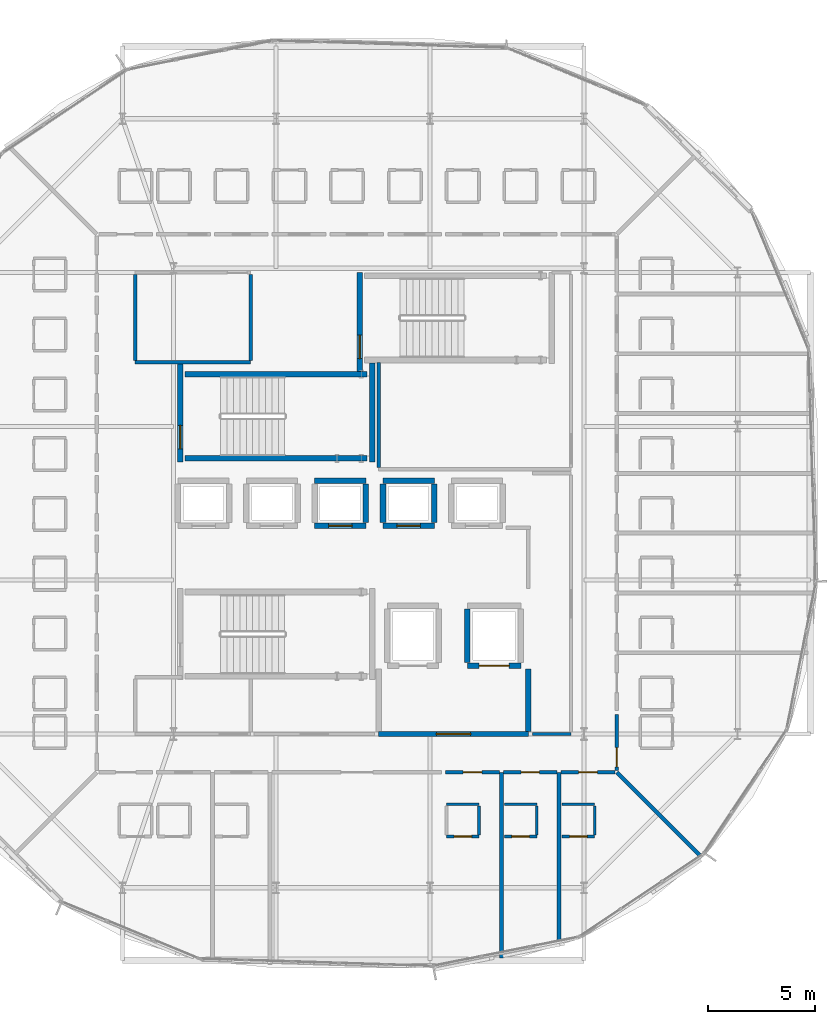
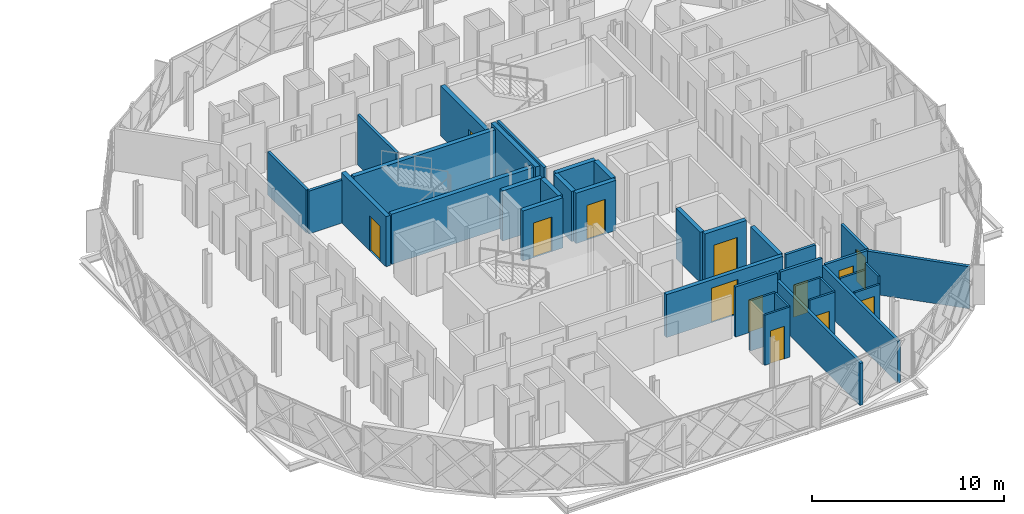
# One storey, part 17 of 26: 37 walls, 13 doors, 13 openings.
"""IFC4 building model written with IfcOpenShell, lengths in metres."""

from ifc_helpers import new_model, si_unit, direction, frame, frame_2d, origin, place, context, subcontext, project, spatial, rectangle, extrude, material, layer, layer_set, type_object, element, fill, save


model = new_model("IFC4")

# Units and contexts
model_context = context("Model", 3, precision=1e-05, world=origin(), true_north=direction((0.0, 1.0)))
body_context = subcontext(model_context, "Body", "Model", "MODEL_VIEW")
ifc_project = project(units=[si_unit("LENGTHUNIT", "METRE"), si_unit("AREAUNIT", "SQUARE_METRE"), si_unit("VOLUMEUNIT", "CUBIC_METRE"), si_unit("PLANEANGLEUNIT", "RADIAN"), si_unit("MASSUNIT", "GRAM", prefix="KILO")], contexts=[model_context])

# Site, building, storey
site_placement = place(None, origin())
site = spatial("IfcSite", under=ifc_project, at=site_placement, CompositionType="ELEMENT")
building_placement = place(site_placement, origin())
building = spatial("IfcBuilding", under=site, at=building_placement, Name="Zevrakil Square Congress Hotel", CompositionType="ELEMENT")
storey_placement = place(building_placement, frame((0.0, 0.0, 24.89990234375)))
storey = spatial("IfcBuildingStorey", under=building, at=storey_placement, Name="L07", CompositionType="ELEMENT", Elevation=24.89990234375)

# Wall, opening, door
ifc_material_1 = material(Name="Concrete C35/45", Category="concrete")
ifc_layer_1 = layer(ifc_material_1, 0.239990234375)
ifc_layer_set_1 = layer_set([ifc_layer_1], Name="Concrete C35/45")
wall_type_1 = type_object("IfcWallType", Name="WAL-COMP-240", PredefinedType="SOLIDWALL", material=ifc_layer_set_1)
wall_1_placement = place(storey_placement, frame((146.39990234375, 16.800048828125, 0.0), z_axis=(0.0, 0.0, 1.0), x_axis=(1.0, 0.0, 0.0)))
wall_1 = element("IfcWall", 1, at=wall_1_placement, inside=storey, type_object=wall_type_1, Name="L07 interior partition PW-L07-0919", PredefinedType="SOLIDWALL", context=body_context, shape_type="SweptSolid", body=[
    extrude(rectangle(XDim=7.0, YDim=0.239990234375, at=frame_2d((3.5, 0.0))), origin(), (0.0, 0.0, 1.0), 2.72509765625),
])
opening_1_placement = place(wall_1_placement, frame((2.699951171875, 0.0, 0.0)))
opening_1 = element("IfcOpeningElement", 2, at=opening_1_placement, cuts=wall_1, Name="Opening FD90-D", PredefinedType="OPENING", context=body_context, shape_type="SweptSolid", body=[
    extrude(rectangle(XDim=1.60009765625, YDim=2.199951171875, at=frame_2d((0.800048828125, 1.10009765625))), frame((0.0, 0.1298828125, 0.0), z_axis=(0.0, -1.0, 0.0), x_axis=(1.0, 0.0, 0.0)), (0.0, 0.0, 1.0), 0.260009765625),
])
ifc_material_2 = material(Name="Steel S355 Double Fire Door", Category="steel")
door_type_1 = type_object("IfcDoorType", Name="DOR-FFLOB-FD90-160", OperationType="NOTDEFINED", PredefinedType="DOOR", material=ifc_material_2)
door_1_placement = place(opening_1_placement, origin())
door_1 = element("IfcDoor", 3, at=door_1_placement, inside=storey, type_object=door_type_1, Name="L07 interior door 363", OperationType="DOUBLE_DOOR_SINGLE_SWING", OverallHeight=2.199951171875, OverallWidth=1.60009765625, PredefinedType="DOOR", context=body_context, shape_type="SweptSolid", body=[
    extrude(rectangle(XDim=1.60009765625, YDim=2.199951171875, at=frame_2d((0.800048828125, 1.10009765625))), frame((0.0, 0.02490234375, 0.0), z_axis=(0.0, -1.0, 0.0), x_axis=(1.0, 0.0, 0.0)), (0.0, 0.0, 1.0), 0.050048828125),
])
fill(opening_1, door_1)

# Walls
wall_2_placement = place(storey_placement, frame((153.39990234375, 16.925048828125, 0.0), z_axis=(0.0, 0.0, 1.0), x_axis=(0.0, 1.0, 0.0)))
element("IfcWall", 4, at=wall_2_placement, inside=storey, type_object=wall_type_1, Name="L07 interior partition PW-L07-0921", PredefinedType="SOLIDWALL", context=body_context, shape_type="SweptSolid", body=[
    extrude(rectangle(XDim=2.925048828125, YDim=0.239990234375, at=frame_2d((1.46240234375, 0.0))), origin(), (0.0, 0.0, 1.0), 2.72509765625),
])
ifc_material_3 = material(Name="Gypsum Acoustic Stud Partition")
ifc_layer_2 = layer(ifc_material_3, 0.159912109375)
ifc_layer_set_2 = layer_set([ifc_layer_2], Name="Gypsum Acoustic Stud Partition")
wall_type_2 = type_object("IfcWallType", Name="WAL-CORR-160", PredefinedType="PARTITIONING", material=ifc_layer_set_2)
wall_3_placement = place(storey_placement, frame((135.0, 34.199951171875, 0.0), z_axis=(0.0, 0.0, 1.0), x_axis=(1.0, 0.0, 0.0)))
element("IfcWall", 5, at=wall_3_placement, inside=storey, type_object=wall_type_2, Name="L07 interior partition PW-L07-0927", PredefinedType="PARTITIONING", context=body_context, shape_type="SweptSolid", body=[
    extrude(rectangle(XDim=5.39990234375, YDim=0.159912109375, at=frame_2d((2.699951171875, 0.0))), origin(), (0.0, 0.0, 1.0), 2.72509765625),
])
wall_4_placement = place(storey_placement, frame((135.0, 34.284912109375, 0.0), z_axis=(0.0, 0.0, 1.0), x_axis=(0.0, 1.0, 0.0)))
element("IfcWall", 6, at=wall_4_placement, inside=storey, type_object=wall_type_2, Name="L07 interior partition PW-L07-0929", PredefinedType="PARTITIONING", context=body_context, shape_type="SweptSolid", body=[
    extrude(rectangle(XDim=4.030029296875, YDim=0.159912109375, at=frame_2d((2.01513671875, 0.0))), origin(), (0.0, 0.0, 1.0), 2.72509765625),
])
wall_5_placement = place(storey_placement, frame((140.39990234375, 34.284912109375, 0.0), z_axis=(0.0, 0.0, 1.0), x_axis=(0.0, 1.0, 0.0)))
element("IfcWall", 7, at=wall_5_placement, inside=storey, type_object=wall_type_2, Name="L07 interior partition PW-L07-0930", PredefinedType="PARTITIONING", context=body_context, shape_type="SweptSolid", body=[
    extrude(rectangle(XDim=4.030029296875, YDim=0.159912109375, at=frame_2d((2.01513671875, 0.0))), origin(), (0.0, 0.0, 1.0), 3.190185546875),
])
wall_6_placement = place(storey_placement, frame((146.39990234375, 29.284912109375, 0.0), z_axis=(0.0, 0.0, 1.0), x_axis=(0.0, 1.0, 0.0)))
element("IfcWall", 8, at=wall_6_placement, inside=storey, type_object=wall_type_2, Name="L07 interior partition PW-L07-0932", PredefinedType="PARTITIONING", context=body_context, shape_type="SweptSolid", body=[
    extrude(rectangle(XDim=4.9150390625, YDim=0.159912109375, at=frame_2d((2.45751953125, 0.0))), origin(), (0.0, 0.0, 1.0), 3.190185546875),
])
wall_7_placement = place(storey_placement, frame((153.60009765625, 16.800048828125, 0.0), z_axis=(0.0, 0.0, 1.0), x_axis=(1.0, 0.0, 0.0)))
element("IfcWall", 9, at=wall_7_placement, inside=storey, type_object=wall_type_2, Name="L07 interior partition PW-L07-0935", PredefinedType="PARTITIONING", context=body_context, shape_type="SweptSolid", body=[
    extrude(rectangle(XDim=1.7998046875, YDim=0.159912109375, at=frame_2d((0.89990234375, 0.0))), origin(), (0.0, 0.0, 1.0), 2.72509765625),
])

# Wall, opening, door
wall_8_placement = place(storey_placement, frame((149.5283203125, 15.0, 0.0), z_axis=(0.0, 0.0, 1.0), x_axis=(1.0, 0.0, 0.0)))
wall_8 = element("IfcWall", 10, at=wall_8_placement, inside=storey, type_object=wall_type_2, Name="L07 interior partition PW-L07-0958", PredefinedType="PARTITIONING", context=body_context, shape_type="SweptSolid", body=[
    extrude(rectangle(XDim=2.515625, YDim=0.159912109375, at=frame_2d((1.2578125, 0.0))), origin(), (0.0, 0.0, 1.0), 3.190185546875),
])
opening_2_placement = place(wall_8_placement, frame((0.81787109375, 0.0, 0.0)))
opening_2 = element("IfcOpeningElement", 11, at=opening_2_placement, cuts=wall_8, Name="Opening ID-G02", PredefinedType="OPENING", context=body_context, shape_type="SweptSolid", body=[
    extrude(rectangle(XDim=0.8798828125, YDim=2.050048828125, at=frame_2d((0.43994140625, 1.02490234375))), frame((0.0, 0.08984375, 0.0), z_axis=(0.0, -1.0, 0.0), x_axis=(1.0, 0.0, 0.0)), (0.0, 0.0, 1.0), 0.179931640625),
])
ifc_material_4 = material(Name="Acoustic Timber Fire Door", Category="wood")
door_type_2 = type_object("IfcDoorType", Name="DOR-INT-G02", OperationType="NOTDEFINED", PredefinedType="DOOR", material=ifc_material_4)
door_2_placement = place(opening_2_placement, origin())
door_2 = element("IfcDoor", 12, at=door_2_placement, inside=storey, type_object=door_type_2, Name="L07 interior door 376", OperationType="SINGLE_SWING_RIGHT", OverallHeight=2.050048828125, OverallWidth=0.8798828125, PredefinedType="DOOR", context=body_context, shape_type="SweptSolid", body=[
    extrude(rectangle(XDim=0.8798828125, YDim=2.050048828125, at=frame_2d((0.43994140625, 1.02490234375))), frame((0.0, 0.02490234375, 0.0), z_axis=(0.0, -1.0, 0.0), x_axis=(1.0, 0.0, 0.0)), (0.0, 0.0, 1.0), 0.050048828125),
])
fill(opening_2, door_2)

wall_9_placement = place(storey_placement, frame((152.23388671875, 15.0, 0.0), z_axis=(0.0, 0.0, 1.0), x_axis=(1.0, 0.0, 0.0)))
wall_9 = element("IfcWall", 13, at=wall_9_placement, inside=storey, type_object=wall_type_2, Name="L07 interior partition PW-L07-0964", PredefinedType="PARTITIONING", context=body_context, shape_type="SweptSolid", body=[
    extrude(rectangle(XDim=2.515625, YDim=0.159912109375, at=frame_2d((1.2578125, 0.0))), origin(), (0.0, 0.0, 1.0), 3.190185546875),
])
opening_3_placement = place(wall_9_placement, frame((0.830322265625, 0.0, 0.0)))
opening_3 = element("IfcOpeningElement", 14, at=opening_3_placement, cuts=wall_9, Name="Opening ID-G01", PredefinedType="OPENING", context=body_context, shape_type="SweptSolid", body=[
    extrude(rectangle(XDim=0.85498046875, YDim=2.050048828125, at=frame_2d((0.427490234375, 1.02490234375))), frame((0.0, 0.08984375, 0.0), z_axis=(0.0, -1.0, 0.0), x_axis=(1.0, 0.0, 0.0)), (0.0, 0.0, 1.0), 0.179931640625),
])
ifc_material_5 = material(Name="Acoustic Timber Fire Door", Category="wood")
door_type_3 = type_object("IfcDoorType", Name="DOR-INT-G01", OperationType="NOTDEFINED", PredefinedType="DOOR", material=ifc_material_5)
door_3_placement = place(opening_3_placement, origin())
door_3 = element("IfcDoor", 15, at=door_3_placement, inside=storey, type_object=door_type_3, Name="L07 interior door 378", OperationType="SINGLE_SWING_RIGHT", OverallHeight=2.050048828125, OverallWidth=0.85498046875, PredefinedType="DOOR", context=body_context, shape_type="SweptSolid", body=[
    extrude(rectangle(XDim=0.85498046875, YDim=2.050048828125, at=frame_2d((0.427490234375, 1.02490234375))), frame((0.0, 0.02490234375, 0.0), z_axis=(0.0, -1.0, 0.0), x_axis=(1.0, 0.0, 0.0)), (0.0, 0.0, 1.0), 0.050048828125),
])
fill(opening_3, door_3)

wall_10_placement = place(storey_placement, frame((154.939453125, 15.0, 0.0), z_axis=(0.0, 0.0, 1.0), x_axis=(1.0, 0.0, 0.0)))
wall_10 = element("IfcWall", 16, at=wall_10_placement, inside=storey, type_object=wall_type_2, Name="L07 interior partition PW-L07-0969", PredefinedType="PARTITIONING", context=body_context, shape_type="SweptSolid", body=[
    extrude(rectangle(XDim=2.515625, YDim=0.159912109375, at=frame_2d((1.2578125, 0.0))), origin(), (0.0, 0.0, 1.0), 2.72509765625),
])
opening_4_placement = place(wall_10_placement, frame((0.81787109375, 0.0, 0.0)))
opening_4 = element("IfcOpeningElement", 17, at=opening_4_placement, cuts=wall_10, Name="Opening ID-G02", PredefinedType="OPENING", context=body_context, shape_type="SweptSolid", body=[
    extrude(rectangle(XDim=0.8798828125, YDim=2.050048828125, at=frame_2d((0.43994140625, 1.02490234375))), frame((0.0, 0.08984375, 0.0), z_axis=(0.0, -1.0, 0.0), x_axis=(1.0, 0.0, 0.0)), (0.0, 0.0, 1.0), 0.179931640625),
])
door_4_placement = place(opening_4_placement, origin())
door_4 = element("IfcDoor", 18, at=door_4_placement, inside=storey, type_object=door_type_2, Name="L07 interior door 380", OperationType="SINGLE_SWING_RIGHT", OverallHeight=2.050048828125, OverallWidth=0.8798828125, PredefinedType="DOOR", context=body_context, shape_type="SweptSolid", body=[
    extrude(rectangle(XDim=0.8798828125, YDim=2.050048828125, at=frame_2d((0.43994140625, 1.02490234375))), frame((0.0, 0.02490234375, 0.0), z_axis=(0.0, -1.0, 0.0), x_axis=(1.0, 0.0, 0.0)), (0.0, 0.0, 1.0), 0.050048828125),
])
fill(opening_4, door_4)

wall_11_placement = place(storey_placement, frame((157.550048828125, 15.094970703125, 0.0), z_axis=(0.0, 0.0, 1.0), x_axis=(0.0, 1.0, 0.0)))
wall_11 = element("IfcWall", 19, at=wall_11_placement, inside=storey, type_object=wall_type_2, Name="L07 interior partition PW-L07-0974", PredefinedType="PARTITIONING", context=body_context, shape_type="SweptSolid", body=[
    extrude(rectangle(XDim=2.610107421875, YDim=0.159912109375, at=frame_2d((1.30517578125, 0.0))), origin(), (0.0, 0.0, 1.0), 2.72509765625),
])
opening_5_placement = place(wall_11_placement, frame((0.159912109375, 0.0, 0.0)))
opening_5 = element("IfcOpeningElement", 20, at=opening_5_placement, cuts=wall_11, Name="Opening ID-G03", PredefinedType="OPENING", context=body_context, shape_type="SweptSolid", body=[
    extrude(rectangle(XDim=0.905029296875, YDim=2.050048828125, at=frame_2d((0.45263671875, 1.02490234375))), frame((0.0, 0.08984375, 0.0), z_axis=(0.0, -1.0, 0.0), x_axis=(1.0, 0.0, 0.0)), (0.0, 0.0, 1.0), 0.179931640625),
])
ifc_material_6 = material(Name="Acoustic Timber Fire Door", Category="wood")
door_type_4 = type_object("IfcDoorType", Name="DOR-INT-G03", OperationType="NOTDEFINED", PredefinedType="DOOR", material=ifc_material_6)
door_5_placement = place(opening_5_placement, origin())
door_5 = element("IfcDoor", 21, at=door_5_placement, inside=storey, type_object=door_type_4, Name="L07 interior door 382", OperationType="SINGLE_SWING_RIGHT", OverallHeight=2.050048828125, OverallWidth=0.905029296875, PredefinedType="DOOR", context=body_context, shape_type="SweptSolid", body=[
    extrude(rectangle(XDim=0.905029296875, YDim=2.050048828125, at=frame_2d((0.45263671875, 1.02490234375))), frame((0.0, 0.02490234375, 0.0), z_axis=(0.0, -1.0, 0.0), x_axis=(1.0, 0.0, 0.0)), (0.0, 0.0, 1.0), 0.050048828125),
])
fill(opening_5, door_5)

ifc_material_7 = material(Name="Moisture-Resistant Gypsum Partition")
ifc_layer_3 = layer(ifc_material_7, 0.1201171875)
ifc_layer_set_3 = layer_set([ifc_layer_3], Name="Moisture-Resistant Gypsum Partition")
wall_type_3 = type_object("IfcWallType", Name="WAL-ENS-120", PredefinedType="PARTITIONING", material=ifc_layer_set_3)
wall_12_placement = place(storey_placement, frame((149.5732421875, 12.0, 0.0), z_axis=(0.0, 0.0, 1.0), x_axis=(1.0, 0.0, 0.0)))
wall_12 = element("IfcWall", 22, at=wall_12_placement, inside=storey, type_object=wall_type_3, Name="L07 interior partition PW-L07-0959", PredefinedType="PARTITIONING", context=body_context, shape_type="SweptSolid", body=[
    extrude(rectangle(XDim=1.52001953125, YDim=0.1201171875, at=frame_2d((0.760009765625, 0.0))), origin(), (0.0, 0.0, 1.0), 3.190185546875),
])
opening_6_placement = place(wall_12_placement, frame((0.35009765625, 0.0, 0.0)))
opening_6 = element("IfcOpeningElement", 23, at=opening_6_placement, cuts=wall_12, Name="Opening ID-11", PredefinedType="OPENING", context=body_context, shape_type="SweptSolid", body=[
    extrude(rectangle(XDim=0.820068359375, YDim=2.080078125, at=frame_2d((0.41015625, 1.0400390625))), frame((0.0, 0.070068359375, 0.0), z_axis=(0.0, -1.0, 0.0), x_axis=(1.0, 0.0, 0.0)), (0.0, 0.0, 1.0), 0.14013671875),
])
ifc_material_8 = material(Name="Acoustic Timber Door", Category="wood")
door_type_5 = type_object("IfcDoorType", Name="DOR-INT-V01", OperationType="NOTDEFINED", PredefinedType="DOOR", material=ifc_material_8)
door_6_placement = place(opening_6_placement, origin())
door_6 = element("IfcDoor", 24, at=door_6_placement, inside=storey, type_object=door_type_5, Name="L07 interior door 377", OperationType="SINGLE_SWING_LEFT", OverallHeight=2.080078125, OverallWidth=0.820068359375, PredefinedType="DOOR", context=body_context, shape_type="SweptSolid", body=[
    extrude(rectangle(XDim=0.820068359375, YDim=2.080078125, at=frame_2d((0.41015625, 1.0400390625))), frame((0.0, 0.02490234375, 0.0), z_axis=(0.0, -1.0, 0.0), x_axis=(1.0, 0.0, 0.0)), (0.0, 0.0, 1.0), 0.050048828125),
])
fill(opening_6, door_6)

# Walls
wall_13_placement = place(storey_placement, frame((149.5732421875, 13.5, 0.0), z_axis=(0.0, 0.0, 1.0), x_axis=(1.0, 0.0, 0.0)))
element("IfcWall", 25, at=wall_13_placement, inside=storey, type_object=wall_type_3, Name="L07 interior partition PW-L07-0960", PredefinedType="PARTITIONING", context=body_context, shape_type="SweptSolid", body=[
    extrude(rectangle(XDim=1.52001953125, YDim=0.1201171875, at=frame_2d((0.760009765625, 0.0))), origin(), (0.0, 0.0, 1.0), 3.190185546875),
])
wall_14_placement = place(storey_placement, frame((151.09326171875, 12.06494140625, 0.0), z_axis=(0.0, 0.0, 1.0), x_axis=(0.0, 1.0, 0.0)))
element("IfcWall", 26, at=wall_14_placement, inside=storey, type_object=wall_type_3, Name="L07 interior partition PW-L07-0962", PredefinedType="PARTITIONING", context=body_context, shape_type="SweptSolid", body=[
    extrude(rectangle(XDim=1.3701171875, YDim=0.1201171875, at=frame_2d((0.68505859375, 0.0))), origin(), (0.0, 0.0, 1.0), 3.190185546875),
])

# Wall, opening, door
wall_15_placement = place(storey_placement, frame((152.27880859375, 12.0, 0.0), z_axis=(0.0, 0.0, 1.0), x_axis=(1.0, 0.0, 0.0)))
wall_15 = element("IfcWall", 27, at=wall_15_placement, inside=storey, type_object=wall_type_3, Name="L07 interior partition PW-L07-0965", PredefinedType="PARTITIONING", context=body_context, shape_type="SweptSolid", body=[
    extrude(rectangle(XDim=1.52001953125, YDim=0.1201171875, at=frame_2d((0.760009765625, 0.0))), origin(), (0.0, 0.0, 1.0), 3.190185546875),
])
opening_7_placement = place(wall_15_placement, frame((0.35009765625, 0.0, 0.0)))
opening_7 = element("IfcOpeningElement", 28, at=opening_7_placement, cuts=wall_15, Name="Opening ID-11", PredefinedType="OPENING", context=body_context, shape_type="SweptSolid", body=[
    extrude(rectangle(XDim=0.820068359375, YDim=2.080078125, at=frame_2d((0.41015625, 1.0400390625))), frame((0.0, 0.070068359375, 0.0), z_axis=(0.0, -1.0, 0.0), x_axis=(1.0, 0.0, 0.0)), (0.0, 0.0, 1.0), 0.14013671875),
])
door_7_placement = place(opening_7_placement, origin())
door_7 = element("IfcDoor", 29, at=door_7_placement, inside=storey, type_object=door_type_5, Name="L07 interior door 379", OperationType="SINGLE_SWING_LEFT", OverallHeight=2.080078125, OverallWidth=0.820068359375, PredefinedType="DOOR", context=body_context, shape_type="SweptSolid", body=[
    extrude(rectangle(XDim=0.820068359375, YDim=2.080078125, at=frame_2d((0.41015625, 1.0400390625))), frame((0.0, 0.02490234375, 0.0), z_axis=(0.0, -1.0, 0.0), x_axis=(1.0, 0.0, 0.0)), (0.0, 0.0, 1.0), 0.050048828125),
])
fill(opening_7, door_7)

# Walls
wall_16_placement = place(storey_placement, frame((152.27880859375, 13.5, 0.0), z_axis=(0.0, 0.0, 1.0), x_axis=(1.0, 0.0, 0.0)))
element("IfcWall", 30, at=wall_16_placement, inside=storey, type_object=wall_type_3, Name="L07 interior partition PW-L07-0966", PredefinedType="PARTITIONING", context=body_context, shape_type="SweptSolid", body=[
    extrude(rectangle(XDim=1.52001953125, YDim=0.1201171875, at=frame_2d((0.760009765625, 0.0))), origin(), (0.0, 0.0, 1.0), 3.190185546875),
])
wall_17_placement = place(storey_placement, frame((153.798828125, 12.06494140625, 0.0), z_axis=(0.0, 0.0, 1.0), x_axis=(0.0, 1.0, 0.0)))
element("IfcWall", 31, at=wall_17_placement, inside=storey, type_object=wall_type_3, Name="L07 interior partition PW-L07-0967", PredefinedType="PARTITIONING", context=body_context, shape_type="SweptSolid", body=[
    extrude(rectangle(XDim=1.3701171875, YDim=0.1201171875, at=frame_2d((0.68505859375, 0.0))), origin(), (0.0, 0.0, 1.0), 3.190185546875),
])

# Wall, opening, door
wall_18_placement = place(storey_placement, frame((154.984375, 12.0, 0.0), z_axis=(0.0, 0.0, 1.0), x_axis=(1.0, 0.0, 0.0)))
wall_18 = element("IfcWall", 32, at=wall_18_placement, inside=storey, type_object=wall_type_3, Name="L07 interior partition PW-L07-0970", PredefinedType="PARTITIONING", context=body_context, shape_type="SweptSolid", body=[
    extrude(rectangle(XDim=1.52001953125, YDim=0.1201171875, at=frame_2d((0.760009765625, 0.0))), origin(), (0.0, 0.0, 1.0), 2.72509765625),
])
opening_8_placement = place(wall_18_placement, frame((0.35009765625, 0.0, 0.0)))
opening_8 = element("IfcOpeningElement", 33, at=opening_8_placement, cuts=wall_18, Name="Opening ID-11", PredefinedType="OPENING", context=body_context, shape_type="SweptSolid", body=[
    extrude(rectangle(XDim=0.820068359375, YDim=2.080078125, at=frame_2d((0.41015625, 1.0400390625))), frame((0.0, 0.070068359375, 0.0), z_axis=(0.0, -1.0, 0.0), x_axis=(1.0, 0.0, 0.0)), (0.0, 0.0, 1.0), 0.14013671875),
])
door_8_placement = place(opening_8_placement, origin())
door_8 = element("IfcDoor", 34, at=door_8_placement, inside=storey, type_object=door_type_5, Name="L07 interior door 381", OperationType="SINGLE_SWING_LEFT", OverallHeight=2.080078125, OverallWidth=0.820068359375, PredefinedType="DOOR", context=body_context, shape_type="SweptSolid", body=[
    extrude(rectangle(XDim=0.820068359375, YDim=2.080078125, at=frame_2d((0.41015625, 1.0400390625))), frame((0.0, 0.02490234375, 0.0), z_axis=(0.0, -1.0, 0.0), x_axis=(1.0, 0.0, 0.0)), (0.0, 0.0, 1.0), 0.050048828125),
])
fill(opening_8, door_8)

# Walls
wall_19_placement = place(storey_placement, frame((154.984375, 13.5, 0.0), z_axis=(0.0, 0.0, 1.0), x_axis=(1.0, 0.0, 0.0)))
element("IfcWall", 35, at=wall_19_placement, inside=storey, type_object=wall_type_3, Name="L07 interior partition PW-L07-0971", PredefinedType="PARTITIONING", context=body_context, shape_type="SweptSolid", body=[
    extrude(rectangle(XDim=1.52001953125, YDim=0.1201171875, at=frame_2d((0.760009765625, 0.0))), origin(), (0.0, 0.0, 1.0), 2.72509765625),
])
wall_20_placement = place(storey_placement, frame((156.50439453125, 12.06494140625, 0.0), z_axis=(0.0, 0.0, 1.0), x_axis=(0.0, 1.0, 0.0)))
element("IfcWall", 36, at=wall_20_placement, inside=storey, type_object=wall_type_3, Name="L07 interior partition PW-L07-0972", PredefinedType="PARTITIONING", context=body_context, shape_type="SweptSolid", body=[
    extrude(rectangle(XDim=1.3701171875, YDim=0.1201171875, at=frame_2d((0.68505859375, 0.0))), origin(), (0.0, 0.0, 1.0), 3.190185546875),
])
ifc_material_9 = material(Name="Gypsum Twin-Stud Party Partition")
ifc_layer_4 = layer(ifc_material_9, 0.179931640625)
ifc_layer_set_4 = layer_set([ifc_layer_4], Name="Gypsum Twin-Stud Party Partition")
wall_type_4 = type_object("IfcWallType", Name="WAL-PARTY-180", PredefinedType="PARTITIONING", material=ifc_layer_set_4)
wall_21_placement = place(storey_placement, frame((152.138916015625, 6.31103515625, 0.0), z_axis=(0.0, 0.0, 1.0), x_axis=(0.0, 1.0, 0.0)))
element("IfcWall", 37, at=wall_21_placement, inside=storey, type_object=wall_type_4, Name="L07 interior partition PW-L07-0963", PredefinedType="PARTITIONING", context=body_context, shape_type="SweptSolid", body=[
    extrude(rectangle(XDim=8.68896484375, YDim=0.179931640625, at=frame_2d((4.344482421875, 0.0))), origin(), (0.0, 0.0, 1.0), 2.675048828125),
])
wall_22_placement = place(storey_placement, frame((154.844482421875, 7.082763671875, 0.0), z_axis=(0.0, 0.0, 1.0), x_axis=(0.0, 1.0, 0.0)))
element("IfcWall", 38, at=wall_22_placement, inside=storey, type_object=wall_type_4, Name="L07 interior partition PW-L07-0968", PredefinedType="PARTITIONING", context=body_context, shape_type="SweptSolid", body=[
    extrude(rectangle(XDim=7.917236328125, YDim=0.179931640625, at=frame_2d((3.95849609375, 0.0))), origin(), (0.0, 0.0, 1.0), 2.675048828125),
])
wall_23_placement = place(storey_placement, frame((157.550048828125, 15.0, 0.0), z_axis=(0.0, 0.0, 1.0), x_axis=(0.707106781187, -0.707106781187, 0.0)))
element("IfcWall", 39, at=wall_23_placement, inside=storey, type_object=wall_type_4, Name="L07 interior partition PW-L07-0973", PredefinedType="PARTITIONING", context=body_context, shape_type="SweptSolid", body=[
    extrude(rectangle(XDim=5.474609375, YDim=0.179931640625, at=frame_2d((2.7373046875, 0.0))), origin(), (0.0, 0.0, 1.0), 2.675048828125),
])

# Wall, opening, door
ifc_material_10 = material(Name="Concrete C40/50", Category="concrete")
ifc_layer_5 = layer(ifc_material_10, 0.260009765625)
ifc_layer_set_5 = layer_set([ifc_layer_5], Name="Concrete C40/50")
wall_type_5 = type_object("IfcWallType", Name="WAL-SHAFT-260", PredefinedType="SHEAR", material=ifc_layer_set_5)
wall_24_placement = place(storey_placement, frame((137.10498046875, 29.5400390625, 0.0), z_axis=(0.0, 0.0, 1.0), x_axis=(0.0, 1.0, 0.0)))
wall_24 = element("IfcWall", 40, at=wall_24_placement, inside=storey, type_object=wall_type_5, Name="L07 ST02 stair shaft W wall", PredefinedType="SHEAR", context=body_context, shape_type="SweptSolid", body=[
    extrude(rectangle(XDim=4.635009765625, YDim=0.260009765625, at=frame_2d((2.3173828125, 0.0))), origin(), (0.0, 0.0, 1.0), 3.190185546875),
])
opening_9_placement = place(wall_24_placement, frame((0.610107421875, 0.0, 0.0)))
opening_9 = element("IfcOpeningElement", 41, at=opening_9_placement, cuts=wall_24, Name="Opening SD-ST02", PredefinedType="OPENING", context=body_context, shape_type="SweptSolid", body=[
    extrude(rectangle(XDim=1.10009765625, YDim=2.199951171875, at=frame_2d((0.550048828125, 1.10009765625))), frame((0.0, 0.14013671875, 0.0), z_axis=(0.0, -1.0, 0.0), x_axis=(1.0, 0.0, 0.0)), (0.0, 0.0, 1.0), 0.280029296875),
])
ifc_material_11 = material(Name="Steel S355 Fire-Rated Door", Category="steel")
door_type_6 = type_object("IfcDoorType", Name="DOR-STAIR-FD90-110", OperationType="NOTDEFINED", PredefinedType="DOOR", material=ifc_material_11)
door_9_placement = place(opening_9_placement, origin())
door_9 = element("IfcDoor", 42, at=door_9_placement, inside=storey, type_object=door_type_6, Name="L07 ST02 protected stair fire door", OperationType="SINGLE_SWING_RIGHT", OverallHeight=2.199951171875, OverallWidth=1.10009765625, PredefinedType="DOOR", context=body_context, shape_type="SweptSolid", body=[
    extrude(rectangle(XDim=1.10009765625, YDim=2.199951171875, at=frame_2d((0.550048828125, 1.10009765625))), frame((0.0, 0.02490234375, 0.0), z_axis=(0.0, -1.0, 0.0), x_axis=(1.0, 0.0, 0.0)), (0.0, 0.0, 1.0), 0.050048828125),
])
fill(opening_9, door_9)

# Walls
wall_25_placement = place(storey_placement, frame((146.094970703125, 29.5400390625, 0.0), z_axis=(0.0, 0.0, 1.0), x_axis=(0.0, 1.0, 0.0)))
element("IfcWall", 43, at=wall_25_placement, inside=storey, type_object=wall_type_5, Name="L07 ST02 stair shaft E wall", PredefinedType="SHEAR", context=body_context, shape_type="SweptSolid", body=[
    extrude(rectangle(XDim=4.635009765625, YDim=0.260009765625, at=frame_2d((2.3173828125, 0.0))), origin(), (0.0, 0.0, 1.0), 3.190185546875),
])
for number, where, z_axis, x_axis, name in (
    (44, (137.340087890625, 29.705078125, 0.0), (0.0, 0.0, 1.0), (1.0, 0.0, 0.0), "L07 ST02 stair shaft S wall"),
    (45, (137.340087890625, 33.64501953125, 0.0), (0.0, 0.0, 1.0), (1.0, 0.0, 0.0), "L07 ST02 stair shaft N wall"),
):
    element("IfcWall", number, at=place(storey_placement, frame(where, z_axis=z_axis, x_axis=x_axis)), inside=storey, type_object=wall_type_5, Name=name, PredefinedType="SHEAR", context=body_context, shape_type="SweptSolid", body=[
        extrude(rectangle(XDim=8.52001953125, YDim=0.260009765625, at=frame_2d((4.260009765625, 0.0))), origin(), (0.0, 0.0, 1.0), 3.190185546875),
    ])

# Wall, opening, door
wall_26_placement = place(storey_placement, frame((145.5048828125, 33.764892578125, 0.0), z_axis=(0.0, 0.0, 1.0), x_axis=(0.0, 1.0, 0.0)))
wall_26 = element("IfcWall", 46, at=wall_26_placement, inside=storey, type_object=wall_type_5, Name="L07 ST03 stair shaft W wall", PredefinedType="SHEAR", context=body_context, shape_type="SweptSolid", body=[
    extrude(rectangle(XDim=4.64501953125, YDim=0.260009765625, at=frame_2d((2.322509765625, 0.0))), origin(), (0.0, 0.0, 1.0), 3.190185546875),
])
opening_10_placement = place(wall_26_placement, frame((0.610107421875, 0.0, 0.0)))
opening_10 = element("IfcOpeningElement", 47, at=opening_10_placement, cuts=wall_26, Name="Opening SD-ST03", PredefinedType="OPENING", context=body_context, shape_type="SweptSolid", body=[
    extrude(rectangle(XDim=1.10009765625, YDim=2.199951171875, at=frame_2d((0.550048828125, 1.10009765625))), frame((0.0, 0.14013671875, 0.0), z_axis=(0.0, -1.0, 0.0), x_axis=(1.0, 0.0, 0.0)), (0.0, 0.0, 1.0), 0.280029296875),
])
door_10_placement = place(opening_10_placement, origin())
door_10 = element("IfcDoor", 48, at=door_10_placement, inside=storey, type_object=door_type_6, Name="L07 ST03 protected stair fire door", OperationType="SINGLE_SWING_RIGHT", OverallHeight=2.199951171875, OverallWidth=1.10009765625, PredefinedType="DOOR", context=body_context, shape_type="SweptSolid", body=[
    extrude(rectangle(XDim=1.10009765625, YDim=2.199951171875, at=frame_2d((0.550048828125, 1.10009765625))), frame((0.0, 0.02490234375, 0.0), z_axis=(0.0, -1.0, 0.0), x_axis=(1.0, 0.0, 0.0)), (0.0, 0.0, 1.0), 0.050048828125),
])
fill(opening_10, door_10)

wall_27_placement = place(storey_placement, frame((143.39990234375, 26.550048828125, 0.0), z_axis=(0.0, 0.0, 1.0), x_axis=(1.0, 0.0, 0.0)))
wall_27 = element("IfcWall", 49, at=wall_27_placement, inside=storey, type_object=wall_type_5, Name="L07 HL3 lift shaft wall", PredefinedType="SHEAR", context=body_context, shape_type="SweptSolid", body=[
    extrude(rectangle(XDim=2.400146484375, YDim=0.260009765625, at=frame_2d((1.2001953125, 0.0))), origin(), (0.0, 0.0, 1.0), 3.190185546875),
])
opening_11_placement = place(wall_27_placement, frame((0.64990234375, 0.0, 0.0)))
opening_11 = element("IfcOpeningElement", 50, at=opening_11_placement, cuts=wall_27, Name="Opening LD-HL3", PredefinedType="OPENING", context=body_context, shape_type="SweptSolid", body=[
    extrude(rectangle(XDim=1.10009765625, YDim=2.199951171875, at=frame_2d((0.550048828125, 1.10009765625))), frame((0.0, 0.14013671875, 0.0), z_axis=(0.0, -1.0, 0.0), x_axis=(1.0, 0.0, 0.0)), (0.0, 0.0, 1.0), 0.280029296875),
])
ifc_material_12 = material(Name="Stainless Steel Sliding Lift Landing Door", Category="steel")
door_type_7 = type_object("IfcDoorType", Name="DOR-LIFT-LD110", OperationType="NOTDEFINED", PredefinedType="DOOR", material=ifc_material_12)
door_11_placement = place(opening_11_placement, origin())
door_11 = element("IfcDoor", 51, at=door_11_placement, inside=storey, type_object=door_type_7, Name="L07 HL3 sliding lift landing door", OperationType="SLIDING_TO_LEFT", OverallHeight=2.199951171875, OverallWidth=1.10009765625, PredefinedType="DOOR", context=body_context, shape_type="SweptSolid", body=[
    extrude(rectangle(XDim=1.10009765625, YDim=2.199951171875, at=frame_2d((0.550048828125, 1.10009765625))), frame((0.0, 0.02490234375, 0.0), z_axis=(0.0, -1.0, 0.0), x_axis=(1.0, 0.0, 0.0)), (0.0, 0.0, 1.0), 0.050048828125),
])
fill(opening_11, door_11)

# Walls
wall_28_placement = place(storey_placement, frame((143.39990234375, 28.64990234375, 0.0), z_axis=(0.0, 0.0, 1.0), x_axis=(1.0, 0.0, 0.0)))
element("IfcWall", 52, at=wall_28_placement, inside=storey, type_object=wall_type_5, Name="L07 HL3 lift shaft wall", PredefinedType="SHEAR", context=body_context, shape_type="SweptSolid", body=[
    extrude(rectangle(XDim=2.400146484375, YDim=0.260009765625, at=frame_2d((1.2001953125, 0.0))), origin(), (0.0, 0.0, 1.0), 3.190185546875),
])
wall_29_placement = place(storey_placement, frame((145.800048828125, 26.68994140625, 0.0), z_axis=(0.0, 0.0, 1.0), x_axis=(0.0, 1.0, 0.0)))
element("IfcWall", 53, at=wall_29_placement, inside=storey, type_object=wall_type_5, Name="L07 HL3 lift shaft wall", PredefinedType="SHEAR", context=body_context, shape_type="SweptSolid", body=[
    extrude(rectangle(XDim=1.820068359375, YDim=0.260009765625, at=frame_2d((0.91015625, 0.0))), origin(), (0.0, 0.0, 1.0), 3.190185546875),
])

# Wall, opening, door
wall_30_placement = place(storey_placement, frame((146.60009765625, 26.550048828125, 0.0), z_axis=(0.0, 0.0, 1.0), x_axis=(1.0, 0.0, 0.0)))
wall_30 = element("IfcWall", 54, at=wall_30_placement, inside=storey, type_object=wall_type_5, Name="L07 HL4 lift shaft wall", PredefinedType="SHEAR", context=body_context, shape_type="SweptSolid", body=[
    extrude(rectangle(XDim=2.39990234375, YDim=0.260009765625, at=frame_2d((1.199951171875, 0.0))), origin(), (0.0, 0.0, 1.0), 3.190185546875),
])
opening_12_placement = place(wall_30_placement, frame((0.64990234375, 0.0, 0.0)))
opening_12 = element("IfcOpeningElement", 55, at=opening_12_placement, cuts=wall_30, Name="Opening LD-HL4", PredefinedType="OPENING", context=body_context, shape_type="SweptSolid", body=[
    extrude(rectangle(XDim=1.10009765625, YDim=2.199951171875, at=frame_2d((0.550048828125, 1.10009765625))), frame((0.0, 0.14013671875, 0.0), z_axis=(0.0, -1.0, 0.0), x_axis=(1.0, 0.0, 0.0)), (0.0, 0.0, 1.0), 0.280029296875),
])
door_12_placement = place(opening_12_placement, origin())
door_12 = element("IfcDoor", 56, at=door_12_placement, inside=storey, type_object=door_type_7, Name="L07 HL4 sliding lift landing door", OperationType="SLIDING_TO_RIGHT", OverallHeight=2.199951171875, OverallWidth=1.10009765625, PredefinedType="DOOR", context=body_context, shape_type="SweptSolid", body=[
    extrude(rectangle(XDim=1.10009765625, YDim=2.199951171875, at=frame_2d((0.550048828125, 1.10009765625))), frame((0.0, 0.02490234375, 0.0), z_axis=(0.0, -1.0, 0.0), x_axis=(1.0, 0.0, 0.0)), (0.0, 0.0, 1.0), 0.050048828125),
])
fill(opening_12, door_12)

# Walls
wall_31_placement = place(storey_placement, frame((146.60009765625, 28.64990234375, 0.0), z_axis=(0.0, 0.0, 1.0), x_axis=(1.0, 0.0, 0.0)))
element("IfcWall", 57, at=wall_31_placement, inside=storey, type_object=wall_type_5, Name="L07 HL4 lift shaft wall", PredefinedType="SHEAR", context=body_context, shape_type="SweptSolid", body=[
    extrude(rectangle(XDim=2.39990234375, YDim=0.260009765625, at=frame_2d((1.199951171875, 0.0))), origin(), (0.0, 0.0, 1.0), 3.190185546875),
])
for number, where, z_axis, x_axis, name in (
    (58, (146.60009765625, 26.68994140625, 0.0), (0.0, 0.0, 1.0), (0.0, 1.0, 0.0), "L07 HL4 lift shaft wall"),
    (59, (149.0, 26.68994140625, 0.0), (0.0, 0.0, 1.0), (0.0, 1.0, 0.0), "L07 HL4 lift shaft wall"),
):
    element("IfcWall", number, at=place(storey_placement, frame(where, z_axis=z_axis, x_axis=x_axis)), inside=storey, type_object=wall_type_5, Name=name, PredefinedType="SHEAR", context=body_context, shape_type="SweptSolid", body=[
        extrude(rectangle(XDim=1.820068359375, YDim=0.260009765625, at=frame_2d((0.91015625, 0.0))), origin(), (0.0, 0.0, 1.0), 3.190185546875),
    ])

# Wall, opening, door
wall_32_placement = place(storey_placement, frame((150.550048828125, 20.0, 0.0), z_axis=(0.0, 0.0, 1.0), x_axis=(1.0, 0.0, 0.0)))
wall_32 = element("IfcWall", 60, at=wall_32_placement, inside=storey, type_object=wall_type_5, Name="L07 SL1 lift shaft wall", PredefinedType="SHEAR", context=body_context, shape_type="SweptSolid", body=[
    extrude(rectangle(XDim=2.5, YDim=0.260009765625, at=frame_2d((1.25, 0.0))), origin(), (0.0, 0.0, 1.0), 3.190185546875),
])
opening_13_placement = place(wall_32_placement, frame((0.550048828125, 0.0, 0.0)))
opening_13 = element("IfcOpeningElement", 61, at=opening_13_placement, cuts=wall_32, Name="Opening LD-SL1", PredefinedType="OPENING", context=body_context, shape_type="SweptSolid", body=[
    extrude(rectangle(XDim=1.39990234375, YDim=2.300048828125, at=frame_2d((0.699951171875, 1.14990234375))), frame((0.0, 0.14013671875, 0.0), z_axis=(0.0, -1.0, 0.0), x_axis=(1.0, 0.0, 0.0)), (0.0, 0.0, 1.0), 0.280029296875),
])
ifc_material_13 = material(Name="Goods Service Sliding Landing Door")
door_type_8 = type_object("IfcDoorType", Name="DOR-LIFT-LD140", OperationType="NOTDEFINED", PredefinedType="DOOR", material=ifc_material_13)
door_13_placement = place(opening_13_placement, origin())
door_13 = element("IfcDoor", 62, at=door_13_placement, inside=storey, type_object=door_type_8, Name="L07 SL1 sliding lift landing door", OperationType="SLIDING_TO_LEFT", OverallHeight=2.300048828125, OverallWidth=1.39990234375, PredefinedType="DOOR", context=body_context, shape_type="SweptSolid", body=[
    extrude(rectangle(XDim=1.39990234375, YDim=2.300048828125, at=frame_2d((0.699951171875, 1.14990234375))), frame((0.0, 0.02490234375, 0.0), z_axis=(0.0, -1.0, 0.0), x_axis=(1.0, 0.0, 0.0)), (0.0, 0.0, 1.0), 0.050048828125),
])
fill(opening_13, door_13)

# Wall
wall_33_placement = place(storey_placement, frame((150.550048828125, 20.139892578125, 0.0), z_axis=(0.0, 0.0, 1.0), x_axis=(0.0, 1.0, 0.0)))
element("IfcWall", 63, at=wall_33_placement, inside=storey, type_object=wall_type_5, Name="L07 SL1 lift shaft wall", PredefinedType="SHEAR", context=body_context, shape_type="SweptSolid", body=[
    extrude(rectangle(XDim=2.52001953125, YDim=0.260009765625, at=frame_2d((1.260009765625, 0.0))), origin(), (0.0, 0.0, 1.0), 3.190185546875),
])

save(model, "model.ifc")
